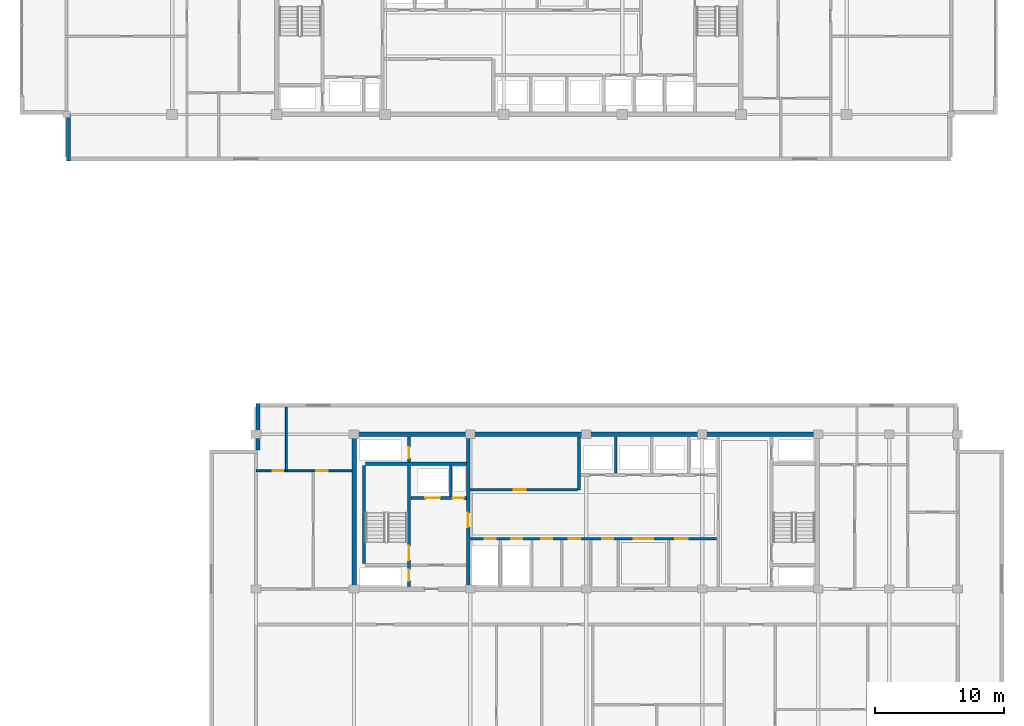
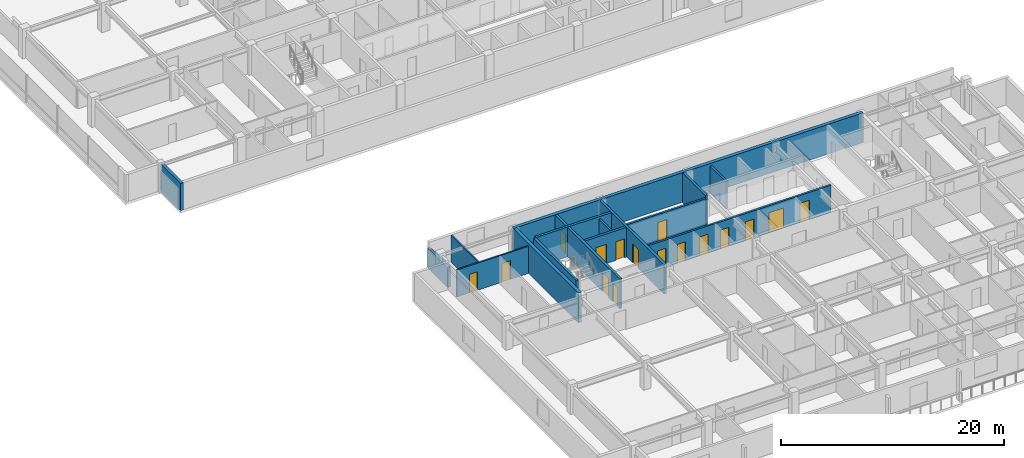
# One storey, part 18 of 32: 16 doors, 16 walls, 16 openings.
"""IFC4 building model written with IfcOpenShell, lengths in metres."""

from ifc_helpers import new_model, si_unit, direction, frame, frame_2d, origin, place, context, subcontext, project, spatial, rectangle, extrude, material, layer, layer_set, type_object, element, fill, save


model = new_model("IFC4")

# Units and contexts
model_context = context("Model", 3, precision=1e-05, world=origin(), true_north=direction((0.0, 1.0)))
body_context = subcontext(model_context, "Body", "Model", "MODEL_VIEW")
ifc_project = project(units=[si_unit("LENGTHUNIT", "METRE"), si_unit("AREAUNIT", "SQUARE_METRE"), si_unit("VOLUMEUNIT", "CUBIC_METRE"), si_unit("PLANEANGLEUNIT", "RADIAN"), si_unit("MASSUNIT", "GRAM", prefix="KILO")], contexts=[model_context])

# Site, building, storey
site_placement = place(None, origin())
site = spatial("IfcSite", under=ifc_project, at=site_placement, CompositionType="ELEMENT")
building_placement = place(site_placement, origin())
building = spatial("IfcBuilding", under=site, at=building_placement, Name="Korimba Cascade Residences", CompositionType="ELEMENT")
storey_placement = place(building_placement, frame((0.0, 0.0, 178.35009765625)))
storey = spatial("IfcBuildingStorey", under=building, at=storey_placement, Name="L51", CompositionType="ELEMENT", Elevation=178.35009765625)

# Walls
ifc_material_1 = material(Name="Precast concrete C40/50", Category="concrete")
ifc_layer_1 = layer(ifc_material_1, 0.300048828125)
ifc_layer_set_1 = layer_set([ifc_layer_1], Name="Precast concrete C40/50")
wall_type_1 = type_object("IfcWallType", Name="EW-STONE-300", PredefinedType="STANDARD", material=ifc_layer_set_1)
wall_1_placement = place(storey_placement, frame((59.949951171875, 55.199951171875, 0.0), z_axis=(0.0, 0.0, 1.0), x_axis=(0.0, -1.0, 0.0)))
element("IfcWall", 1, at=wall_1_placement, inside=storey, type_object=wall_type_1, Name="L51 T1 Perimeter Stone Wall E11", PredefinedType="STANDARD", context=body_context, shape_type="SweptSolid", body=[
    extrude(rectangle(XDim=3.599853515625, YDim=0.300048828125, at=frame_2d((1.7998046875, 0.0))), origin(), (0.0, 0.0, 1.0), 2.969970703125),
])
wall_2_placement = place(storey_placement, frame((74.64990234375, 32.800048828125, 0.0), z_axis=(0.0, 0.0, 1.0), x_axis=(0.0, -1.0, 0.0)))
element("IfcWall", 2, at=wall_2_placement, inside=storey, type_object=wall_type_1, Name="L51 T2 Perimeter Stone Wall E07", PredefinedType="STANDARD", context=body_context, shape_type="SweptSolid", body=[
    extrude(rectangle(XDim=3.60009765625, YDim=0.300048828125, at=frame_2d((1.800048828125, 0.0))), origin(), (0.0, 0.0, 1.0), 2.2001953125),
])
ifc_material_2 = material(Name="Concrete C65/80", Category="concrete")
ifc_layer_2 = layer(ifc_material_2, 0.35009765625)
ifc_layer_set_2 = layer_set([ifc_layer_2], Name="Concrete C65/80")
wall_type_2 = type_object("IfcWallType", Name="WAL-CORE-350", PredefinedType="SHEAR", material=ifc_layer_set_2)
wall_3_placement = place(storey_placement, frame((81.925048828125, 30.39990234375, 0.0), z_axis=(0.0, 0.0, 1.0), x_axis=(1.0, 0.0, 0.0)))
element("IfcWall", 3, at=wall_3_placement, inside=storey, type_object=wall_type_2, Name="L51 Core Shear Wall CW-L51-T2-N", PredefinedType="SHEAR", context=body_context, shape_type="SweptSolid", body=[
    extrude(rectangle(XDim=36.264892578125, YDim=0.35009765625, at=frame_2d((18.13232421875, 0.0))), origin(), (0.0, 0.0, 1.0), 3.25),
])
wall_4_placement = place(storey_placement, frame((82.10009765625, 18.574951171875, 0.0), z_axis=(0.0, 0.0, 1.0), x_axis=(0.0, 1.0, 0.0)))
element("IfcWall", 4, at=wall_4_placement, inside=storey, type_object=wall_type_2, Name="L51 Core Shear Wall CW-L51-T2-W", PredefinedType="SHEAR", context=body_context, shape_type="SweptSolid", body=[
    extrude(rectangle(XDim=11.650146484375, YDim=0.35009765625, at=frame_2d((5.8251953125, 0.0))), origin(), (0.0, 0.0, 1.0), 3.25),
])
ifc_material_3 = material(Name="Insulated Acoustic Stud Partition", Category="gypsum")
ifc_layer_3 = layer(ifc_material_3, 0.14990234375)
ifc_layer_set_3 = layer_set([ifc_layer_3], Name="Insulated Acoustic Stud Partition")
wall_type_3 = type_object("IfcWallType", Name="WAL-PART-150", PredefinedType="PARTITIONING", material=ifc_layer_set_3)
wall_5_placement = place(storey_placement, frame((76.85009765625, 27.570068359375, 0.0), z_axis=(0.0, 0.0, 1.0), x_axis=(0.0, 1.0, 0.0)))
element("IfcWall", 5, at=wall_5_placement, inside=storey, type_object=wall_type_3, Name="L51 Partition Wall WAL-L51-T2-FW-VN", PredefinedType="PARTITIONING", context=body_context, shape_type="SweptSolid", body=[
    extrude(rectangle(XDim=4.929931640625, YDim=0.14990234375, at=frame_2d((2.46484375, 0.0))), origin(), (0.0, 0.0, 1.0), 2.969970703125),
])

# Wall, openings, doors
wall_6_placement = place(storey_placement, frame((74.52001953125, 27.570068359375, 0.0), z_axis=(0.0, 0.0, 1.0), x_axis=(1.0, 0.0, 0.0)))
wall_6 = element("IfcWall", 6, at=wall_6_placement, inside=storey, type_object=wall_type_3, Name="L51 Partition Wall WAL-L51-T2-FW-H", PredefinedType="PARTITIONING", context=body_context, shape_type="SweptSolid", body=[
    extrude(rectangle(XDim=7.409912109375, YDim=0.14990234375, at=frame_2d((3.705078125, 0.0))), origin(), (0.0, 0.0, 1.0), 2.969970703125),
])
opening_1_placement = place(wall_6_placement, frame((1.266357421875, 0.0, 0.0)))
opening_1 = element("IfcOpeningElement", 7, at=opening_1_placement, cuts=wall_6, Name="Opening D-BT1", PredefinedType="OPENING", context=body_context, shape_type="SweptSolid", body=[
    extrude(rectangle(XDim=0.840087890625, YDim=2.0400390625, at=frame_2d((0.419921875, 1.02001953125))), frame((0.0, 0.0849609375, 0.0), z_axis=(0.0, -1.0, 0.0), x_axis=(1.0, 0.0, 0.0)), (0.0, 0.0, 1.0), 0.169921875),
])
opening_2_placement = place(wall_6_placement, frame((4.64501953125, 0.0, 0.0)))
opening_2 = element("IfcOpeningElement", 8, at=opening_2_placement, cuts=wall_6, Name="Opening D-IN2", PredefinedType="OPENING", context=body_context, shape_type="SweptSolid", body=[
    extrude(rectangle(XDim=0.8798828125, YDim=2.06005859375, at=frame_2d((0.43994140625, 1.030029296875))), frame((0.0, 0.0849609375, 0.0), z_axis=(0.0, -1.0, 0.0), x_axis=(1.0, 0.0, 0.0)), (0.0, 0.0, 1.0), 0.169921875),
])
ifc_material_4 = material(Name="Moisture-Resistant Bathroom Timber Door", Category="wood")
door_type_1 = type_object("IfcDoorType", Name="DR-INT-850", OperationType="NOTDEFINED", PredefinedType="DOOR", material=ifc_material_4)
door_1_placement = place(opening_1_placement, origin())
door_1 = element("IfcDoor", 9, at=door_1_placement, inside=storey, type_object=door_type_1, Name="L51-T2-FW Bathroom Door", OperationType="SINGLE_SWING_RIGHT", OverallHeight=2.0400390625, OverallWidth=0.840087890625, PredefinedType="DOOR", context=body_context, shape_type="SweptSolid", body=[
    extrude(rectangle(XDim=0.840087890625, YDim=2.0400390625, at=frame_2d((0.419921875, 1.02001953125))), frame((0.0, 0.02490234375, 0.0), z_axis=(0.0, -1.0, 0.0), x_axis=(1.0, 0.0, 0.0)), (0.0, 0.0, 1.0), 0.050048828125),
])
fill(opening_1, door_1)
ifc_material_5 = material(Name="Acoustic Timber Bedroom Door", Category="wood")
door_type_2 = type_object("IfcDoorType", Name="DR-INT-880", OperationType="NOTDEFINED", PredefinedType="DOOR", material=ifc_material_5)
door_2_placement = place(opening_2_placement, origin())
door_2 = element("IfcDoor", 10, at=door_2_placement, inside=storey, type_object=door_type_2, Name="L51-T2-FW Bedroom Door", OperationType="SINGLE_SWING_LEFT", OverallHeight=2.06005859375, OverallWidth=0.8798828125, PredefinedType="DOOR", context=body_context, shape_type="SweptSolid", body=[
    extrude(rectangle(XDim=0.8798828125, YDim=2.06005859375, at=frame_2d((0.43994140625, 1.030029296875))), frame((0.0, 0.02490234375, 0.0), z_axis=(0.0, -1.0, 0.0), x_axis=(1.0, 0.0, 0.0)), (0.0, 0.0, 1.0), 0.050048828125),
])
fill(opening_2, door_2)

# Wall
ifc_material_6 = material(Name="Concrete C40/50", Category="concrete")
ifc_layer_4 = layer(ifc_material_6, 0.199951171875)
ifc_layer_set_4 = layer_set([ifc_layer_4], Name="Concrete C40/50")
wall_type_4 = type_object("IfcWallType", Name="WAL-PART-200", PredefinedType="PARTITIONING", material=ifc_layer_set_4)
wall_7_placement = place(storey_placement, frame((89.60009765625, 25.580078125, 0.0), z_axis=(0.0, 0.0, 1.0), x_axis=(0.0, 1.0, 0.0)))
element("IfcWall", 11, at=wall_7_placement, inside=storey, type_object=wall_type_4, Name="L51 Partition Wall CW-L51-T2-FFLDIV", PredefinedType="PARTITIONING", context=body_context, shape_type="SweptSolid", body=[
    extrude(rectangle(XDim=2.419921875, YDim=0.199951171875, at=frame_2d((1.2099609375, 0.0))), origin(), (0.0, 0.0, 1.0), 2.969970703125),
])

# Wall, opening, door
wall_8_placement = place(storey_placement, frame((91.080078125, 26.10009765625, 0.0), z_axis=(0.0, 0.0, 1.0), x_axis=(1.0, 0.0, 0.0)))
wall_8 = element("IfcWall", 12, at=wall_8_placement, inside=storey, type_object=wall_type_4, Name="L51 Partition Wall CW-L51-T2-B1RS", PredefinedType="PARTITIONING", context=body_context, shape_type="SweptSolid", body=[
    extrude(rectangle(XDim=8.33984375, YDim=0.199951171875, at=frame_2d((4.169921875, 0.0))), origin(), (0.0, 0.0, 1.0), 2.969970703125),
])
opening_3_placement = place(wall_8_placement, frame((3.39990234375, 0.0, 0.0)))
opening_3 = element("IfcOpeningElement", 13, at=opening_3_placement, cuts=wall_8, Name="Opening D-ST1", PredefinedType="OPENING", context=body_context, shape_type="SweptSolid", body=[
    extrude(rectangle(XDim=0.919921875, YDim=2.080078125, at=frame_2d((0.4599609375, 1.0400390625))), frame((0.0, 0.10986328125, 0.0), z_axis=(0.0, -1.0, 0.0), x_axis=(1.0, 0.0, 0.0)), (0.0, 0.0, 1.0), 0.219970703125),
])
ifc_material_7 = material(Name="Fire-Rated Core Store Door", Category="wood")
door_type_3 = type_object("IfcDoorType", Name="DR-FD60-920", OperationType="NOTDEFINED", PredefinedType="DOOR", material=ifc_material_7)
door_3_placement = place(opening_3_placement, origin())
door_3 = element("IfcDoor", 14, at=door_3_placement, inside=storey, type_object=door_type_3, Name="L51 T2 Resident Storage Door", OperationType="SINGLE_SWING_LEFT", OverallHeight=2.080078125, OverallWidth=0.919921875, PredefinedType="DOOR", context=body_context, shape_type="SweptSolid", body=[
    extrude(rectangle(XDim=0.919921875, YDim=2.080078125, at=frame_2d((0.4599609375, 1.0400390625))), frame((0.0, 0.02490234375, 0.0), z_axis=(0.0, -1.0, 0.0), x_axis=(1.0, 0.0, 0.0)), (0.0, 0.0, 1.0), 0.050048828125),
])
fill(opening_3, door_3)

# Wall
wall_9_placement = place(storey_placement, frame((102.39990234375, 27.3798828125, 0.0), z_axis=(0.0, 0.0, 1.0), x_axis=(0.0, 1.0, 0.0)))
element("IfcWall", 15, at=wall_9_placement, inside=storey, type_object=wall_type_4, Name="L51 Partition Wall CW-L51-T2-B2D1", PredefinedType="PARTITIONING", context=body_context, shape_type="SweptSolid", body=[
    extrude(rectangle(XDim=2.820068359375, YDim=0.199951171875, at=frame_2d((1.41015625, 0.0))), origin(), (0.0, 0.0, 1.0), 2.969970703125),
])

# Wall, openings, doors
wall_10_placement = place(storey_placement, frame((91.080078125, 22.300048828125, 0.0), z_axis=(0.0, 0.0, 1.0), x_axis=(1.0, 0.0, 0.0)))
wall_10 = element("IfcWall", 16, at=wall_10_placement, inside=storey, type_object=wall_type_4, Name="L51 Partition Wall CW-L51-T2-SRVROW", PredefinedType="PARTITIONING", context=body_context, shape_type="SweptSolid", body=[
    extrude(rectangle(XDim=19.139892578125, YDim=0.199951171875, at=frame_2d((9.56982421875, 0.0))), origin(), (0.0, 0.0, 1.0), 2.969970703125),
])
opening_4_placement = place(wall_10_placement, frame((1.14990234375, 0.0, 0.0)))
opening_4 = element("IfcOpeningElement", 17, at=opening_4_placement, cuts=wall_10, Name="Opening D-RS1", PredefinedType="OPENING", context=body_context, shape_type="SweptSolid", body=[
    extrude(rectangle(XDim=0.85009765625, YDim=2.050048828125, at=frame_2d((0.425048828125, 1.02490234375))), frame((0.0, 0.10986328125, 0.0), z_axis=(0.0, -1.0, 0.0), x_axis=(1.0, 0.0, 0.0)), (0.0, 0.0, 1.0), 0.219970703125),
])
opening_5_placement = place(wall_10_placement, frame((3.199951171875, 0.0, 0.0)))
opening_5 = element("IfcOpeningElement", 18, at=opening_5_placement, cuts=wall_10, Name="Opening D-RS1", PredefinedType="OPENING", context=body_context, shape_type="SweptSolid", body=[
    extrude(rectangle(XDim=0.85009765625, YDim=2.050048828125, at=frame_2d((0.425048828125, 1.02490234375))), frame((0.0, 0.10986328125, 0.0), z_axis=(0.0, -1.0, 0.0), x_axis=(1.0, 0.0, 0.0)), (0.0, 0.0, 1.0), 0.219970703125),
])
opening_6_placement = place(wall_10_placement, frame((12.719970703125, 0.0, 0.0)))
opening_6 = element("IfcOpeningElement", 19, at=opening_6_placement, cuts=wall_10, Name="Opening D-FD8", PredefinedType="OPENING", context=body_context, shape_type="SweptSolid", body=[
    extrude(rectangle(XDim=1.5, YDim=2.199951171875, at=frame_2d((0.75, 1.10009765625))), frame((0.0, 0.10986328125, 0.0), z_axis=(0.0, -1.0, 0.0), x_axis=(1.0, 0.0, 0.0)), (0.0, 0.0, 1.0), 0.219970703125),
])
opening_7_placement = place(wall_10_placement, frame((5.52001953125, 0.0, 0.0)))
opening_7 = element("IfcOpeningElement", 20, at=opening_7_placement, cuts=wall_10, Name="Opening D-IN2", PredefinedType="OPENING", context=body_context, shape_type="SweptSolid", body=[
    extrude(rectangle(XDim=0.8798828125, YDim=2.06005859375, at=frame_2d((0.43994140625, 1.030029296875))), frame((0.0, 0.10986328125, 0.0), z_axis=(0.0, -1.0, 0.0), x_axis=(1.0, 0.0, 0.0)), (0.0, 0.0, 1.0), 0.219970703125),
])
opening_8_placement = place(wall_10_placement, frame((7.669921875, 0.0, 0.0)))
opening_8 = element("IfcOpeningElement", 21, at=opening_8_placement, cuts=wall_10, Name="Opening D-IN2", PredefinedType="OPENING", context=body_context, shape_type="SweptSolid", body=[
    extrude(rectangle(XDim=0.8798828125, YDim=2.06005859375, at=frame_2d((0.43994140625, 1.030029296875))), frame((0.0, 0.10986328125, 0.0), z_axis=(0.0, -1.0, 0.0), x_axis=(1.0, 0.0, 0.0)), (0.0, 0.0, 1.0), 0.219970703125),
])
opening_9_placement = place(wall_10_placement, frame((10.27001953125, 0.0, 0.0)))
opening_9 = element("IfcOpeningElement", 22, at=opening_9_placement, cuts=wall_10, Name="Opening D-RS1", PredefinedType="OPENING", context=body_context, shape_type="SweptSolid", body=[
    extrude(rectangle(XDim=0.85009765625, YDim=2.050048828125, at=frame_2d((0.425048828125, 1.02490234375))), frame((0.0, 0.10986328125, 0.0), z_axis=(0.0, -1.0, 0.0), x_axis=(1.0, 0.0, 0.0)), (0.0, 0.0, 1.0), 0.219970703125),
])
opening_10_placement = place(wall_10_placement, frame((15.919921875, 0.0, 0.0)))
opening_10 = element("IfcOpeningElement", 23, at=opening_10_placement, cuts=wall_10, Name="Opening D-AC1", PredefinedType="OPENING", context=body_context, shape_type="SweptSolid", body=[
    extrude(rectangle(XDim=0.9599609375, YDim=2.10009765625, at=frame_2d((0.47998046875, 1.050048828125))), frame((0.0, 0.10986328125, 0.0), z_axis=(0.0, -1.0, 0.0), x_axis=(1.0, 0.0, 0.0)), (0.0, 0.0, 1.0), 0.219970703125),
])
ifc_material_8 = material(Name="Accessible Acoustic Timber WC Door", Category="wood")
door_type_4 = type_object("IfcDoorType", Name="DR-ACC-950", OperationType="NOTDEFINED", PredefinedType="DOOR", material=ifc_material_8)
door_4_placement = place(opening_10_placement, origin())
door_4 = element("IfcDoor", 24, at=door_4_placement, inside=storey, type_object=door_type_4, Name="L51 T2 Accessible Staff WC Door", OperationType="SINGLE_SWING_RIGHT", OverallHeight=2.10009765625, OverallWidth=0.9599609375, PredefinedType="DOOR", context=body_context, shape_type="SweptSolid", body=[
    extrude(rectangle(XDim=0.9599609375, YDim=2.10009765625, at=frame_2d((0.47998046875, 1.050048828125))), frame((0.0, 0.02490234375, 0.0), z_axis=(0.0, -1.0, 0.0), x_axis=(1.0, 0.0, 0.0)), (0.0, 0.0, 1.0), 0.050048828125),
])
fill(opening_10, door_4)
ifc_material_9 = material(Name="Fire-Rated Steel Riser Access Door", Category="steel")
door_type_5 = type_object("IfcDoorType", Name="DR-FD60-850", OperationType="NOTDEFINED", PredefinedType="DOOR", material=ifc_material_9)
door_5_placement = place(opening_4_placement, origin())
door_5 = element("IfcDoor", 25, at=door_5_placement, inside=storey, type_object=door_type_5, Name="L51 T2 Electrical Riser Door", OperationType="SINGLE_SWING_LEFT", OverallHeight=2.050048828125, OverallWidth=0.85009765625, PredefinedType="DOOR", context=body_context, shape_type="SweptSolid", body=[
    extrude(rectangle(XDim=0.85009765625, YDim=2.050048828125, at=frame_2d((0.425048828125, 1.02490234375))), frame((0.0, 0.02490234375, 0.0), z_axis=(0.0, -1.0, 0.0), x_axis=(1.0, 0.0, 0.0)), (0.0, 0.0, 1.0), 0.050048828125),
])
fill(opening_4, door_5)
door_6_placement = place(opening_5_placement, origin())
door_6 = element("IfcDoor", 26, at=door_6_placement, inside=storey, type_object=door_type_5, Name="L51 T2 Plumbing Riser Door", OperationType="SINGLE_SWING_RIGHT", OverallHeight=2.050048828125, OverallWidth=0.85009765625, PredefinedType="DOOR", context=body_context, shape_type="SweptSolid", body=[
    extrude(rectangle(XDim=0.85009765625, YDim=2.050048828125, at=frame_2d((0.425048828125, 1.02490234375))), frame((0.0, 0.02490234375, 0.0), z_axis=(0.0, -1.0, 0.0), x_axis=(1.0, 0.0, 0.0)), (0.0, 0.0, 1.0), 0.050048828125),
])
fill(opening_5, door_6)
door_7_placement = place(opening_9_placement, origin())
door_7 = element("IfcDoor", 27, at=door_7_placement, inside=storey, type_object=door_type_5, Name="L51 T2 IT Room Door", OperationType="SINGLE_SWING_LEFT", OverallHeight=2.050048828125, OverallWidth=0.85009765625, PredefinedType="DOOR", context=body_context, shape_type="SweptSolid", body=[
    extrude(rectangle(XDim=0.85009765625, YDim=2.050048828125, at=frame_2d((0.425048828125, 1.02490234375))), frame((0.0, 0.02490234375, 0.0), z_axis=(0.0, -1.0, 0.0), x_axis=(1.0, 0.0, 0.0)), (0.0, 0.0, 1.0), 0.050048828125),
])
fill(opening_9, door_7)
ifc_material_10 = material(Name="Fire-Rated Glazed Lift Lobby Double Door", Category="glass")
door_type_6 = type_object("IfcDoorType", Name="DR-FD90-1500", OperationType="NOTDEFINED", PredefinedType="DOOR", material=ifc_material_10)
door_8_placement = place(opening_6_placement, origin())
door_8 = element("IfcDoor", 28, at=door_8_placement, inside=storey, type_object=door_type_6, Name="L51 T2 Lift Lobby Foyer Door", OperationType="DOUBLE_DOOR_SINGLE_SWING", OverallHeight=2.199951171875, OverallWidth=1.5, PredefinedType="DOOR", context=body_context, shape_type="SweptSolid", body=[
    extrude(rectangle(XDim=1.5, YDim=2.199951171875, at=frame_2d((0.75, 1.10009765625))), frame((0.0, 0.02490234375, 0.0), z_axis=(0.0, -1.0, 0.0), x_axis=(1.0, 0.0, 0.0)), (0.0, 0.0, 1.0), 0.050048828125),
])
fill(opening_6, door_8)
door_9_placement = place(opening_7_placement, origin())
door_9 = element("IfcDoor", 29, at=door_9_placement, inside=storey, type_object=door_type_2, Name="L51 T2 Cleaners Door", OperationType="SINGLE_SWING_LEFT", OverallHeight=2.06005859375, OverallWidth=0.8798828125, PredefinedType="DOOR", context=body_context, shape_type="SweptSolid", body=[
    extrude(rectangle(XDim=0.8798828125, YDim=2.06005859375, at=frame_2d((0.43994140625, 1.030029296875))), frame((0.0, 0.02490234375, 0.0), z_axis=(0.0, -1.0, 0.0), x_axis=(1.0, 0.0, 0.0)), (0.0, 0.0, 1.0), 0.050048828125),
])
fill(opening_7, door_9)
door_10_placement = place(opening_8_placement, origin())
door_10 = element("IfcDoor", 30, at=door_10_placement, inside=storey, type_object=door_type_2, Name="L51 T2 Pantry Door", OperationType="SINGLE_SWING_RIGHT", OverallHeight=2.06005859375, OverallWidth=0.8798828125, PredefinedType="DOOR", context=body_context, shape_type="SweptSolid", body=[
    extrude(rectangle(XDim=0.8798828125, YDim=2.06005859375, at=frame_2d((0.43994140625, 1.030029296875))), frame((0.0, 0.02490234375, 0.0), z_axis=(0.0, -1.0, 0.0), x_axis=(1.0, 0.0, 0.0)), (0.0, 0.0, 1.0), 0.050048828125),
])
fill(opening_8, door_10)

# Wall
ifc_material_11 = material(Name="Concrete C50/60", Category="concrete")
ifc_layer_5 = layer(ifc_material_11, 0.25)
ifc_layer_set_5 = layer_set([ifc_layer_5], Name="Concrete C50/60")
wall_type_5 = type_object("IfcWallType", Name="WAL-SHAFT-250", PredefinedType="SHEAR", material=ifc_layer_set_5)
wall_11_placement = place(storey_placement, frame((82.875, 20.39990234375, 0.0), z_axis=(0.0, 0.0, 1.0), x_axis=(0.0, 1.0, 0.0)))
element("IfcWall", 31, at=wall_11_placement, inside=storey, type_object=wall_type_5, Name="L51 Core Shear Wall CW-L51-T2-STE1W", PredefinedType="SHEAR", context=body_context, shape_type="SweptSolid", body=[
    extrude(rectangle(XDim=7.60009765625, YDim=0.25, at=frame_2d((3.800048828125, 0.0))), origin(), (0.0, 0.0, 1.0), 3.25),
])

# Wall, openings, doors
wall_12_placement = place(storey_placement, frame((86.364990234375, 18.60009765625, 0.0), z_axis=(0.0, 0.0, 1.0), x_axis=(0.0, 1.0, 0.0)))
wall_12 = element("IfcWall", 32, at=wall_12_placement, inside=storey, type_object=wall_type_5, Name="L51 Core Shear Wall CW-L51-T2-STE1E", PredefinedType="SHEAR", context=body_context, shape_type="SweptSolid", body=[
    extrude(rectangle(XDim=11.599853515625, YDim=0.25, at=frame_2d((5.7998046875, 0.0))), origin(), (0.0, 0.0, 1.0), 3.25),
])
opening_11_placement = place(wall_12_placement, frame((0.449951171875, 0.0, 0.0)))
opening_11 = element("IfcOpeningElement", 33, at=opening_11_placement, cuts=wall_12, Name="Opening D-RS1", PredefinedType="OPENING", context=body_context, shape_type="SweptSolid", body=[
    extrude(rectangle(XDim=0.85009765625, YDim=2.050048828125, at=frame_2d((0.425048828125, 1.02490234375))), frame((0.0, 0.135009765625, 0.0), z_axis=(0.0, -1.0, 0.0), x_axis=(1.0, 0.0, 0.0)), (0.0, 0.0, 1.0), 0.27001953125),
])
opening_12_placement = place(wall_12_placement, frame((2.050048828125, 0.0, 0.0)))
opening_12 = element("IfcOpeningElement", 34, at=opening_12_placement, cuts=wall_12, Name="Opening D-FD1", PredefinedType="OPENING", context=body_context, shape_type="SweptSolid", body=[
    extrude(rectangle(XDim=1.10009765625, YDim=2.10009765625, at=frame_2d((0.550048828125, 1.050048828125))), frame((0.0, 0.135009765625, 0.0), z_axis=(0.0, -1.0, 0.0), x_axis=(1.0, 0.0, 0.0)), (0.0, 0.0, 1.0), 0.27001953125),
])
opening_13_placement = place(wall_12_placement, frame((9.949951171875, 0.0, 0.0)))
opening_13 = element("IfcOpeningElement", 35, at=opening_13_placement, cuts=wall_12, Name="Opening D-RS1", PredefinedType="OPENING", context=body_context, shape_type="SweptSolid", body=[
    extrude(rectangle(XDim=0.85009765625, YDim=2.050048828125, at=frame_2d((0.425048828125, 1.02490234375))), frame((0.0, 0.135009765625, 0.0), z_axis=(0.0, -1.0, 0.0), x_axis=(1.0, 0.0, 0.0)), (0.0, 0.0, 1.0), 0.27001953125),
])
ifc_material_12 = material(Name="Fire-Rated Steel Core Door", Category="steel")
door_type_7 = type_object("IfcDoorType", Name="DR-FD120-1100", OperationType="NOTDEFINED", PredefinedType="DOOR", material=ifc_material_12)
door_11_placement = place(opening_12_placement, origin())
door_11 = element("IfcDoor", 36, at=door_11_placement, inside=storey, type_object=door_type_7, Name="L51 Fire Stair ST-E1 Door", OperationType="SINGLE_SWING_RIGHT", OverallHeight=2.10009765625, OverallWidth=1.10009765625, PredefinedType="DOOR", context=body_context, shape_type="SweptSolid", body=[
    extrude(rectangle(XDim=1.10009765625, YDim=2.10009765625, at=frame_2d((0.550048828125, 1.050048828125))), frame((0.0, 0.02490234375, 0.0), z_axis=(0.0, -1.0, 0.0), x_axis=(1.0, 0.0, 0.0)), (0.0, 0.0, 1.0), 0.050048828125),
])
fill(opening_12, door_11)
door_12_placement = place(opening_11_placement, origin())
door_12 = element("IfcDoor", 37, at=door_12_placement, inside=storey, type_object=door_type_5, Name="L51 T2 Hydrant Riser Door", OperationType="SINGLE_SWING_LEFT", OverallHeight=2.050048828125, OverallWidth=0.85009765625, PredefinedType="DOOR", context=body_context, shape_type="SweptSolid", body=[
    extrude(rectangle(XDim=0.85009765625, YDim=2.050048828125, at=frame_2d((0.425048828125, 1.02490234375))), frame((0.0, 0.02490234375, 0.0), z_axis=(0.0, -1.0, 0.0), x_axis=(1.0, 0.0, 0.0)), (0.0, 0.0, 1.0), 0.050048828125),
])
fill(opening_11, door_12)
door_13_placement = place(opening_13_placement, origin())
door_13 = element("IfcDoor", 38, at=door_13_placement, inside=storey, type_object=door_type_5, Name="L51 T2 Smoke Shaft Door", OperationType="SINGLE_SWING_LEFT", OverallHeight=2.050048828125, OverallWidth=0.85009765625, PredefinedType="DOOR", context=body_context, shape_type="SweptSolid", body=[
    extrude(rectangle(XDim=0.85009765625, YDim=2.050048828125, at=frame_2d((0.425048828125, 1.02490234375))), frame((0.0, 0.02490234375, 0.0), z_axis=(0.0, -1.0, 0.0), x_axis=(1.0, 0.0, 0.0)), (0.0, 0.0, 1.0), 0.050048828125),
])
fill(opening_13, door_13)

# Wall
wall_13_placement = place(storey_placement, frame((83.0, 28.125, 0.0), z_axis=(0.0, 0.0, 1.0), x_axis=(1.0, 0.0, 0.0)))
element("IfcWall", 39, at=wall_13_placement, inside=storey, type_object=wall_type_5, Name="L51 Core Shear Wall CW-L51-T2-STE1N", PredefinedType="SHEAR", context=body_context, shape_type="SweptSolid", body=[
    extrude(rectangle(XDim=7.820068359375, YDim=0.25, at=frame_2d((3.91015625, 0.0))), origin(), (0.0, 0.0, 1.0), 3.25),
])

# Wall, openings, doors
wall_14_placement = place(storey_placement, frame((86.5, 25.449951171875, 0.0), z_axis=(0.0, 0.0, 1.0), x_axis=(1.0, 0.0, 0.0)))
wall_14 = element("IfcWall", 40, at=wall_14_placement, inside=storey, type_object=wall_type_5, Name="L51 Core Shear Wall CW-L51-T2-FFLN", PredefinedType="SHEAR", context=body_context, shape_type="SweptSolid", body=[
    extrude(rectangle(XDim=4.320068359375, YDim=0.25, at=frame_2d((2.16015625, 0.0))), origin(), (0.0, 0.0, 1.0), 3.25),
])
opening_14_placement = place(wall_14_placement, frame((1.139892578125, 0.0, 0.0)))
opening_14 = element("IfcOpeningElement", 41, at=opening_14_placement, cuts=wall_14, Name="Opening LD-01", PredefinedType="OPENING", context=body_context, shape_type="SweptSolid", body=[
    extrude(rectangle(XDim=1.1201171875, YDim=2.1201171875, at=frame_2d((0.56005859375, 1.06005859375))), frame((0.0, 0.135009765625, 0.0), z_axis=(0.0, -1.0, 0.0), x_axis=(1.0, 0.0, 0.0)), (0.0, 0.0, 1.0), 0.27001953125),
])
opening_15_placement = place(wall_14_placement, frame((3.25, 0.0, 0.0)))
opening_15 = element("IfcOpeningElement", 42, at=opening_15_placement, cuts=wall_14, Name="Opening D-RS1", PredefinedType="OPENING", context=body_context, shape_type="SweptSolid", body=[
    extrude(rectangle(XDim=0.85009765625, YDim=2.050048828125, at=frame_2d((0.425048828125, 1.02490234375))), frame((0.0, 0.135009765625, 0.0), z_axis=(0.0, -1.0, 0.0), x_axis=(1.0, 0.0, 0.0)), (0.0, 0.0, 1.0), 0.27001953125),
])
door_14_placement = place(opening_15_placement, origin())
door_14 = element("IfcDoor", 43, at=door_14_placement, inside=storey, type_object=door_type_5, Name="L51 T2 Pressurisation Riser Door", OperationType="SINGLE_SWING_RIGHT", OverallHeight=2.050048828125, OverallWidth=0.85009765625, PredefinedType="DOOR", context=body_context, shape_type="SweptSolid", body=[
    extrude(rectangle(XDim=0.85009765625, YDim=2.050048828125, at=frame_2d((0.425048828125, 1.02490234375))), frame((0.0, 0.02490234375, 0.0), z_axis=(0.0, -1.0, 0.0), x_axis=(1.0, 0.0, 0.0)), (0.0, 0.0, 1.0), 0.050048828125),
])
fill(opening_15, door_14)
ifc_material_13 = material(Name="Stainless Steel Lift Landing Sliding Door", Category="steel")
door_type_8 = type_object("IfcDoorType", Name="DR-LIFT-1100", OperationType="NOTDEFINED", PredefinedType="DOOR", material=ifc_material_13)
door_15_placement = place(opening_14_placement, origin())
door_15 = element("IfcDoor", 44, at=door_15_placement, inside=storey, type_object=door_type_8, Name="L51 Firefighting Lift Landing Door FFL-E1", OperationType="SLIDING_TO_RIGHT", OverallHeight=2.1201171875, OverallWidth=1.1201171875, PredefinedType="DOOR", context=body_context, shape_type="SweptSolid", body=[
    extrude(rectangle(XDim=1.1201171875, YDim=2.1201171875, at=frame_2d((0.56005859375, 1.06005859375))), frame((0.0, 0.02490234375, 0.0), z_axis=(0.0, -1.0, 0.0), x_axis=(1.0, 0.0, 0.0)), (0.0, 0.0, 1.0), 0.050048828125),
])
fill(opening_14, door_15)

# Wall, opening, door
wall_15_placement = place(storey_placement, frame((90.949951171875, 18.60009765625, 0.0), z_axis=(0.0, 0.0, 1.0), x_axis=(0.0, 1.0, 0.0)))
wall_15 = element("IfcWall", 45, at=wall_15_placement, inside=storey, type_object=wall_type_5, Name="L51 Core Shear Wall CW-L51-T2-FFLE", PredefinedType="SHEAR", context=body_context, shape_type="SweptSolid", body=[
    extrude(rectangle(XDim=11.599853515625, YDim=0.25, at=frame_2d((5.7998046875, 0.0))), origin(), (0.0, 0.0, 1.0), 3.25),
])
opening_16_placement = place(wall_15_placement, frame((4.60009765625, 0.0, 0.0)))
opening_16 = element("IfcOpeningElement", 46, at=opening_16_placement, cuts=wall_15, Name="Opening D-FD1", PredefinedType="OPENING", context=body_context, shape_type="SweptSolid", body=[
    extrude(rectangle(XDim=1.10009765625, YDim=2.10009765625, at=frame_2d((0.550048828125, 1.050048828125))), frame((0.0, 0.135009765625, 0.0), z_axis=(0.0, -1.0, 0.0), x_axis=(1.0, 0.0, 0.0)), (0.0, 0.0, 1.0), 0.27001953125),
])
door_16_placement = place(opening_16_placement, origin())
door_16 = element("IfcDoor", 47, at=door_16_placement, inside=storey, type_object=door_type_7, Name="L51 T2 Firefighting Lobby to Lift Lobby Door", OperationType="SINGLE_SWING_RIGHT", OverallHeight=2.10009765625, OverallWidth=1.10009765625, PredefinedType="DOOR", context=body_context, shape_type="SweptSolid", body=[
    extrude(rectangle(XDim=1.10009765625, YDim=2.10009765625, at=frame_2d((0.550048828125, 1.050048828125))), frame((0.0, 0.02490234375, 0.0), z_axis=(0.0, -1.0, 0.0), x_axis=(1.0, 0.0, 0.0)), (0.0, 0.0, 1.0), 0.050048828125),
])
fill(opening_16, door_16)

# Wall
wall_16_placement = place(storey_placement, frame((99.550048828125, 26.10009765625, 0.0), z_axis=(0.0, 0.0, 1.0), x_axis=(0.0, 1.0, 0.0)))
element("IfcWall", 48, at=wall_16_placement, inside=storey, type_object=wall_type_5, Name="L51 Core Shear Wall CW-L51-T2-B12DIV", PredefinedType="SHEAR", context=body_context, shape_type="SweptSolid", body=[
    extrude(rectangle(XDim=4.099853515625, YDim=0.25, at=frame_2d((2.0498046875, 0.0))), origin(), (0.0, 0.0, 1.0), 3.25),
])

save(model, "model.ifc")
